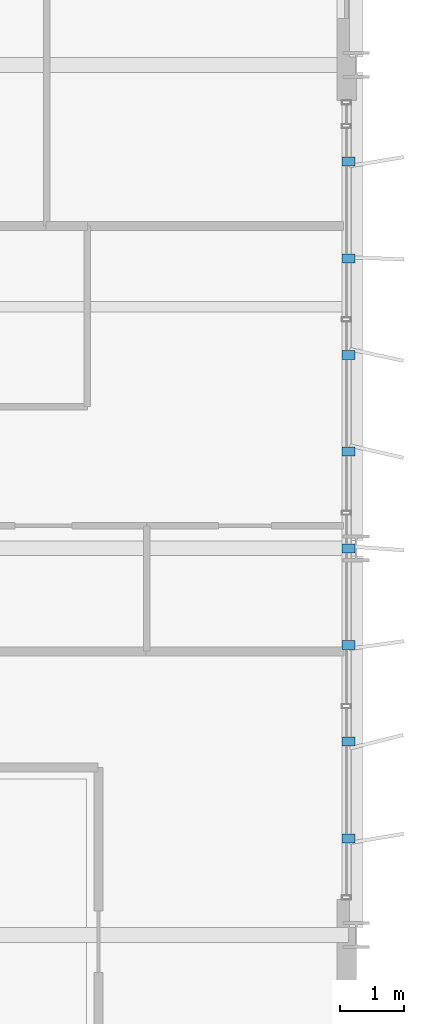
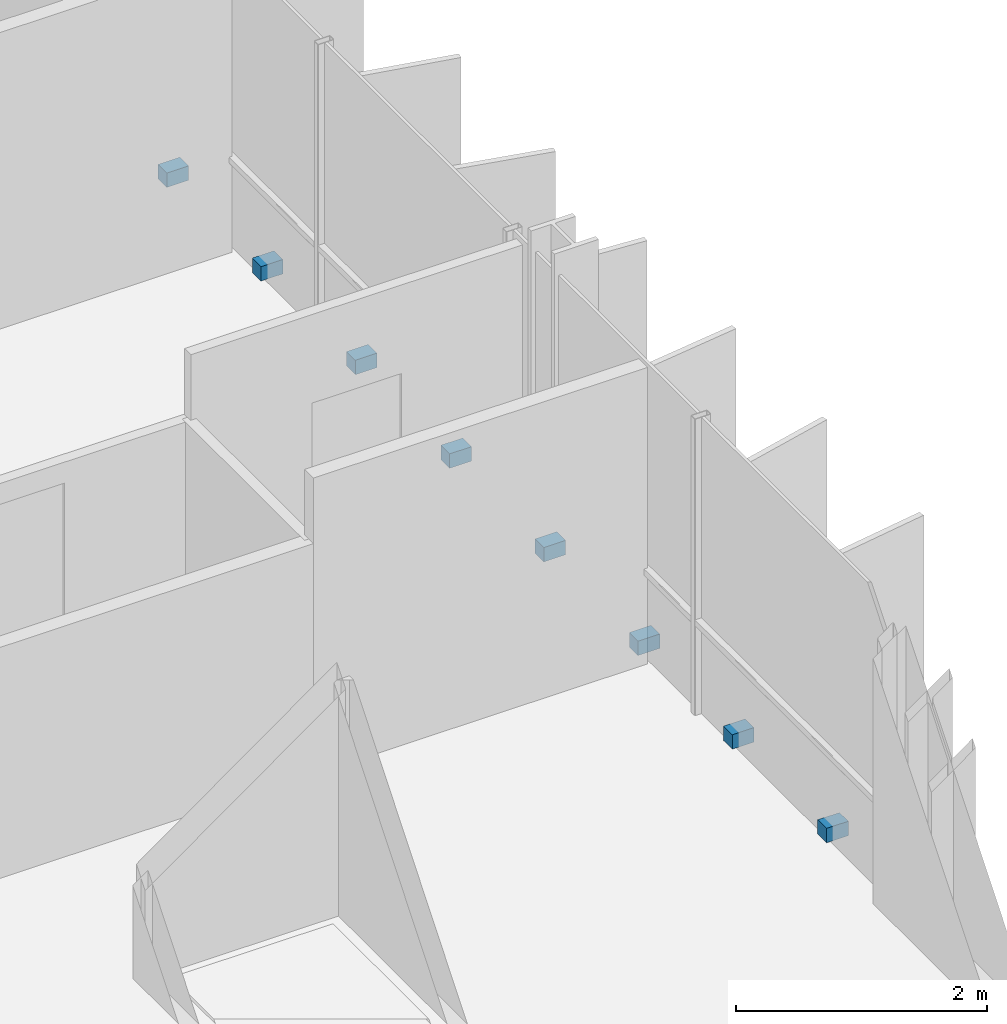
# One storey, part 36 of 39: 8 discrete accessories.
"""IFC4 building model written with IfcOpenShell, lengths in metres."""

from ifc_helpers import new_model, si_unit, direction, frame, origin, origin_2d, place, context, subcontext, project, spatial, rectangle, extrude, material, type_object, element, save


model = new_model("IFC4")

# Units and contexts
model_context = context("Model", 3, precision=1e-05, world=origin(), true_north=direction((0.0, 1.0)))
body_context = subcontext(model_context, "Body", "Model", "MODEL_VIEW")
ifc_project = project(units=[si_unit("LENGTHUNIT", "METRE"), si_unit("AREAUNIT", "SQUARE_METRE"), si_unit("VOLUMEUNIT", "CUBIC_METRE"), si_unit("PLANEANGLEUNIT", "RADIAN"), si_unit("MASSUNIT", "GRAM", prefix="KILO")], contexts=[model_context])

# Site, building, storey
site_placement = place(None, origin())
site = spatial("IfcSite", under=ifc_project, at=site_placement, CompositionType="ELEMENT")
building_placement = place(site_placement, origin())
building = spatial("IfcBuilding", under=site, at=building_placement, Name="Brevholm Reach", CompositionType="ELEMENT")
storey_placement = place(building_placement, frame((0.0, 0.0, 154.199951171875)))
storey = spatial("IfcBuildingStorey", under=building, at=storey_placement, Name="L46", CompositionType="ELEMENT", Elevation=154.199951171875)

# Discrete accessories
ifc_material = material(Name="Duplex Stainless Steel EN 1.4462", Category="steel")
discrete_accessory_type = type_object("IfcDiscreteAccessoryType", Name="ACC-BRK-01", PredefinedType="BRACKET", material=ifc_material)
for number, where, z_axis, x_axis, name in (
    (1, (59.8798828125, 11.5, 0.0302734375), (0.0, 0.0, 1.0), (1.0, 0.0, 0.0), "L46 Solar Screen Support Bracket 1"),
    (2, (59.8798828125, 13.0, 0.0302734375), (0.0, 0.0, 1.0), (1.0, 0.0, 0.0), "L46 Solar Screen Support Bracket 2"),
    (3, (59.8798828125, 14.5, 0.0302734375), (0.0, 0.0, 1.0), (1.0, 0.0, 0.0), "L46 Solar Screen Support Bracket 3"),
    (4, (59.8798828125, 16.0, 0.0302734375), (0.0, 0.0, 1.0), (1.0, 0.0, 0.0), "L46 Solar Screen Support Bracket 4"),
    (5, (59.8798828125, 17.5, 0.0302734375), (0.0, 0.0, 1.0), (1.0, 0.0, 0.0), "L46 Solar Screen Support Bracket 5"),
    (6, (59.8798828125, 19.0, 0.0302734375), (0.0, 0.0, 1.0), (1.0, 0.0, 0.0), "L46 Solar Screen Support Bracket 6"),
    (7, (59.8798828125, 20.5, 0.0302734375), (0.0, 0.0, 1.0), (1.0, 0.0, 0.0), "L46 Solar Screen Support Bracket 7"),
    (8, (59.8798828125, 22.0, 0.0302734375), (0.0, 0.0, 1.0), (1.0, 0.0, 0.0), "L46 Solar Screen Support Bracket 8"),
):
    element("IfcDiscreteAccessory", number, at=place(storey_placement, frame(where, z_axis=z_axis, x_axis=x_axis)), inside=storey, type_object=discrete_accessory_type, Name=name, PredefinedType="BRACKET", context=body_context, shape_type="SweptSolid", body=[
        extrude(rectangle(XDim=0.199951171875, YDim=0.139892578125, at=origin_2d()), origin(), (0.0, 0.0, 1.0), 0.139892578125),
    ])

save(model, "model.ifc")
